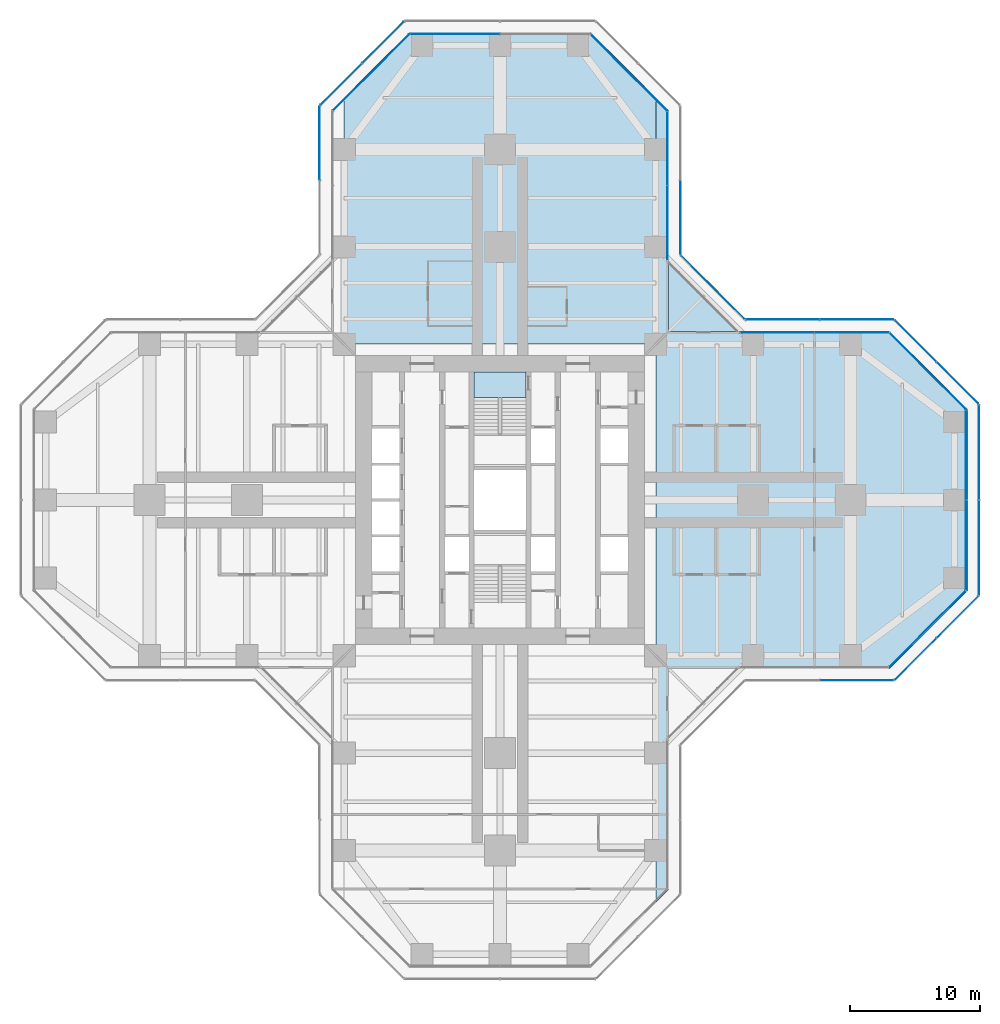
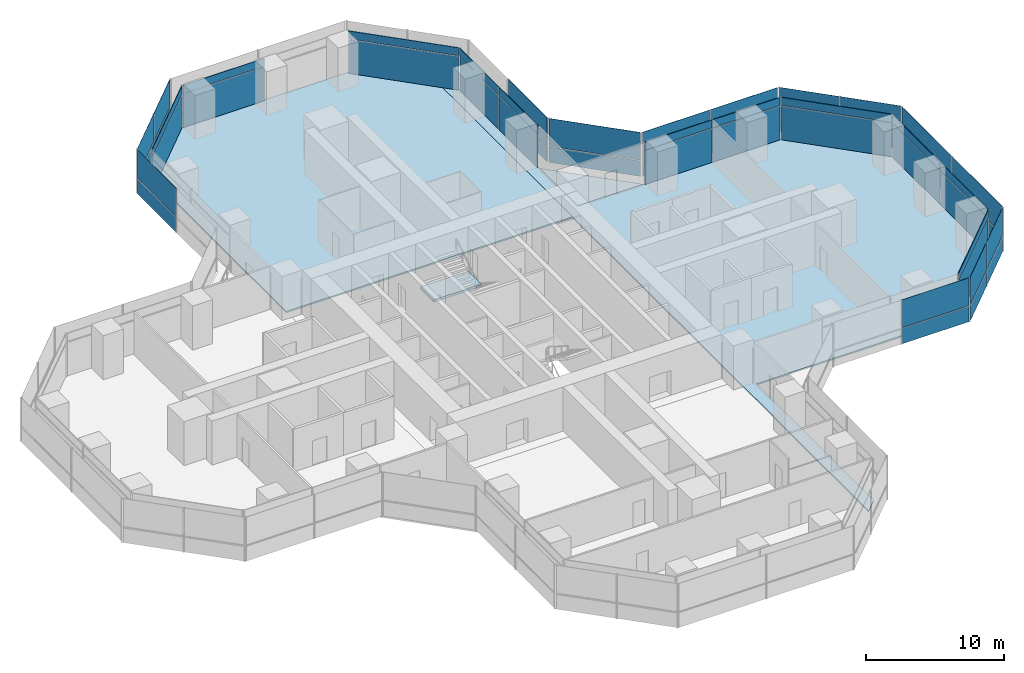
# One storey, part 16 of 22: 50 plates, 4 slabs, 18 elements without a shape of their own.
"""IFC4 building model written with IfcOpenShell, lengths in metres."""

from ifc_helpers import new_model, si_unit, direction, frame, origin, origin_2d, place, context, subcontext, project, spatial, polyline, rectangle, outline, extrude, material, layer, layer_set, type_object, element, aggregate, save


model = new_model("IFC4")

# Units and contexts
model_context = context("Model", 3, precision=1e-05, world=origin(), true_north=direction((0.0, 1.0)))
body_context = subcontext(model_context, "Body", "Model", "MODEL_VIEW")
ifc_project = project(units=[si_unit("LENGTHUNIT", "METRE"), si_unit("AREAUNIT", "SQUARE_METRE"), si_unit("VOLUMEUNIT", "CUBIC_METRE"), si_unit("PLANEANGLEUNIT", "RADIAN"), si_unit("MASSUNIT", "GRAM", prefix="KILO")], contexts=[model_context])

# Site, building, storey
site_placement = place(None, origin())
site = spatial("IfcSite", under=ifc_project, at=site_placement, CompositionType="ELEMENT")
building_placement = place(site_placement, origin())
building = spatial("IfcBuilding", under=site, at=building_placement, Name="Mizan Broadcast Tower", CompositionType="ELEMENT")
storey_placement = place(building_placement, frame((0.0, 0.0, 63.0)))
storey = spatial("IfcBuildingStorey", under=building, at=storey_placement, Name="L12", CompositionType="ELEMENT", Elevation=63.0)

# Slabs
ifc_material_1 = material(Name="Concrete C32/40", Category="concrete")
ifc_layer_1 = layer(ifc_material_1, 0.1298828125)
ifc_layer_set_1 = layer_set([ifc_layer_1], Name="Concrete C32/40")
slab_type_1 = type_object("IfcSlabType", Name="COMPOSITE DECK SLAB 130", PredefinedType="FLOOR", material=ifc_layer_set_1)
slab_1_placement = place(storey_placement, frame((0.0, 0.0, -0.1298828125)))
element("IfcSlab", 1, at=slab_1_placement, inside=storey, type_object=slab_type_1, Name="Floor slab L12 east arm", PredefinedType="FLOOR", context=body_context, shape_type="SweptSolid", body=[
    extrude(outline(polyline([(12.0, -31.0), (13.0, -30.0), (13.0, -13.0), (30.0, -13.0), (36.0, -7.0), (36.0, 7.0), (30.0, 13.0), (13.0, 13.0), (13.0, 30.0), (12.0, 31.0), (12.0, -31.0)])), origin(), (0.0, 0.0, 1.0), 0.1298828125),
])
slab_2_placement = place(storey_placement, frame((0.0, 0.0, -0.1298828125)))
element("IfcSlab", 2, at=slab_2_placement, inside=storey, type_object=slab_type_1, Name="Floor slab L12 north arm", PredefinedType="FLOOR", context=body_context, shape_type="SweptSolid", body=[
    extrude(outline(polyline([(-7.0, 36.0), (-12.0, 31.0), (-12.0, 12.0), (12.0, 12.0), (12.0, 31.0), (7.0, 36.0), (-7.0, 36.0)])), origin(), (0.0, 0.0, 1.0), 0.1298828125),
])

# Curtain wall, plate
ifc_material_2 = material(Name="Aluminium framed glazing", Category="aluminium")
curtain_wall_type_1 = type_object("IfcCurtainWallType", Name="INNER SKIN LOW ZONE", PredefinedType="USERDEFINED", material=ifc_material_2)
curtain_wall_1_placement = place(storey_placement, origin())
curtain_wall_1 = element("IfcCurtainWall", 3, at=curtain_wall_1_placement, inside=storey, type_object=curtain_wall_type_1, Name="Inner skin low zone L12 E chamfer", ObjectType="INNER SKIN LOW ZONE", PredefinedType="USERDEFINED")
ifc_material_3 = material(Name="Double glazing, clear low-e", Category="glass")
ifc_layer_2 = layer(ifc_material_3, 0.028076171875)
ifc_layer_set_2 = layer_set([ifc_layer_2], Name="Double glazing, clear low-e")
plate_type_1 = type_object("IfcPlateType", Name="INNER SKIN GLAZING UNIT", PredefinedType="CURTAIN_PANEL", material=ifc_layer_set_2)
plate_1_placement = place(storey_placement, frame((32.92919921875, -9.92919921875, 0.0), z_axis=(0.0, 0.0, 1.0), x_axis=(0.707106781187, 0.707106781187, 0.0)))
plate_1 = element("IfcPlate", 4, at=plate_1_placement, type_object=plate_type_1, Name="Inner skin low zone L12 E chamfer panel 1.1", PredefinedType="CURTAIN_PANEL", context=body_context, shape_type="SweptSolid", body=[
    extrude(rectangle(XDim=8.282470703125, YDim=0.028076171875, at=origin_2d()), origin(), (0.0, 0.0, 1.0), 3.0),
])

# Curtain wall, plates
curtain_wall_2_placement = place(storey_placement, origin())
curtain_wall_2 = element("IfcCurtainWall", 5, at=curtain_wall_2_placement, inside=storey, type_object=curtain_wall_type_1, Name="Inner skin low zone L12 E end", ObjectType="INNER SKIN LOW ZONE", PredefinedType="USERDEFINED")
plate_2_placement = place(storey_placement, frame((35.89990234375, -3.46435546875, 0.0), z_axis=(0.0, 0.0, 1.0), x_axis=(0.0, 1.0, 0.0)))
plate_2 = element("IfcPlate", 6, at=plate_2_placement, type_object=plate_type_1, Name="Inner skin low zone L12 E end panel 1.1", PredefinedType="CURTAIN_PANEL", context=body_context, shape_type="SweptSolid", body=[
    extrude(rectangle(XDim=6.86865234375, YDim=0.028076171875, at=origin_2d()), origin(), (0.0, 0.0, 1.0), 3.0),
])
plate_3_placement = place(storey_placement, frame((35.89990234375, 3.46435546875, 0.0), z_axis=(0.0, 0.0, 1.0), x_axis=(0.0, 1.0, 0.0)))
plate_3 = element("IfcPlate", 7, at=plate_3_placement, type_object=plate_type_1, Name="Inner skin low zone L12 E end panel 2.1", PredefinedType="CURTAIN_PANEL", context=body_context, shape_type="SweptSolid", body=[
    extrude(rectangle(XDim=6.86865234375, YDim=0.028076171875, at=origin_2d()), origin(), (0.0, 0.0, 1.0), 3.0),
])

# Curtain wall, plate
curtain_wall_3_placement = place(storey_placement, origin())
curtain_wall_3 = element("IfcCurtainWall", 8, at=curtain_wall_3_placement, inside=storey, type_object=curtain_wall_type_1, Name="Inner skin low zone L12 E chamfer", ObjectType="INNER SKIN LOW ZONE", PredefinedType="USERDEFINED")
plate_4_placement = place(storey_placement, frame((32.92919921875, 9.92919921875, 0.0), z_axis=(0.0, 0.0, 1.0), x_axis=(-0.707106781187, 0.707106781187, 0.0)))
plate_4 = element("IfcPlate", 9, at=plate_4_placement, type_object=plate_type_1, Name="Inner skin low zone L12 E chamfer panel 1.1", PredefinedType="CURTAIN_PANEL", context=body_context, shape_type="SweptSolid", body=[
    extrude(rectangle(XDim=8.282470703125, YDim=0.028076171875, at=origin_2d()), origin(), (0.0, 0.0, 1.0), 3.0),
])

# Curtain wall, plates
curtain_wall_4_placement = place(storey_placement, origin())
curtain_wall_4 = element("IfcCurtainWall", 10, at=curtain_wall_4_placement, inside=storey, type_object=curtain_wall_type_1, Name="Inner skin low zone L12 E side", ObjectType="INNER SKIN LOW ZONE", PredefinedType="USERDEFINED")
plate_5_placement = place(storey_placement, frame((27.078857421875, 12.89990234375, 0.0), z_axis=(0.0, 0.0, 1.0), x_axis=(-1.0, 0.0, 0.0)))
plate_5 = element("IfcPlate", 11, at=plate_5_placement, type_object=plate_type_1, Name="Inner skin low zone L12 E side panel 1.1", PredefinedType="CURTAIN_PANEL", context=body_context, shape_type="SweptSolid", body=[
    extrude(rectangle(XDim=5.639404296875, YDim=0.028076171875, at=origin_2d()), origin(), (0.0, 0.0, 1.0), 3.0),
])
plate_6_placement = place(storey_placement, frame((21.379638671875, 12.89990234375, 0.0), z_axis=(0.0, 0.0, 1.0), x_axis=(-1.0, 0.0, 0.0)))
plate_6 = element("IfcPlate", 12, at=plate_6_placement, type_object=plate_type_1, Name="Inner skin low zone L12 E side panel 2.1", PredefinedType="CURTAIN_PANEL", context=body_context, shape_type="SweptSolid", body=[
    extrude(rectangle(XDim=5.639404296875, YDim=0.028076171875, at=origin_2d()), origin(), (0.0, 0.0, 1.0), 3.0),
])

curtain_wall_5_placement = place(storey_placement, origin())
curtain_wall_5 = element("IfcCurtainWall", 13, at=curtain_wall_5_placement, inside=storey, type_object=curtain_wall_type_1, Name="Inner skin low zone L12 N side", ObjectType="INNER SKIN LOW ZONE", PredefinedType="USERDEFINED")
plate_7_placement = place(storey_placement, frame((12.89990234375, 21.379638671875, 0.0), z_axis=(0.0, 0.0, 1.0), x_axis=(0.0, 1.0, 0.0)))
plate_7 = element("IfcPlate", 14, at=plate_7_placement, type_object=plate_type_1, Name="Inner skin low zone L12 N side panel 1.1", PredefinedType="CURTAIN_PANEL", context=body_context, shape_type="SweptSolid", body=[
    extrude(rectangle(XDim=5.639404296875, YDim=0.028076171875, at=origin_2d()), origin(), (0.0, 0.0, 1.0), 3.0),
])
plate_8_placement = place(storey_placement, frame((12.89990234375, 27.078857421875, 0.0), z_axis=(0.0, 0.0, 1.0), x_axis=(0.0, 1.0, 0.0)))
plate_8 = element("IfcPlate", 15, at=plate_8_placement, type_object=plate_type_1, Name="Inner skin low zone L12 N side panel 2.1", PredefinedType="CURTAIN_PANEL", context=body_context, shape_type="SweptSolid", body=[
    extrude(rectangle(XDim=5.639404296875, YDim=0.028076171875, at=origin_2d()), origin(), (0.0, 0.0, 1.0), 3.0),
])

# Curtain wall, plate
curtain_wall_6_placement = place(storey_placement, origin())
curtain_wall_6 = element("IfcCurtainWall", 16, at=curtain_wall_6_placement, inside=storey, type_object=curtain_wall_type_1, Name="Inner skin low zone L12 N chamfer", ObjectType="INNER SKIN LOW ZONE", PredefinedType="USERDEFINED")
plate_9_placement = place(storey_placement, frame((9.92919921875, 32.92919921875, 0.0), z_axis=(0.0, 0.0, 1.0), x_axis=(-0.707106781187, 0.707106781187, 0.0)))
plate_9 = element("IfcPlate", 17, at=plate_9_placement, type_object=plate_type_1, Name="Inner skin low zone L12 N chamfer panel 1.1", PredefinedType="CURTAIN_PANEL", context=body_context, shape_type="SweptSolid", body=[
    extrude(rectangle(XDim=8.282470703125, YDim=0.028076171875, at=origin_2d()), origin(), (0.0, 0.0, 1.0), 3.0),
])

curtain_wall_7_placement = place(storey_placement, origin())
curtain_wall_7 = element("IfcCurtainWall", 18, at=curtain_wall_7_placement, inside=storey, type_object=curtain_wall_type_1, Name="Inner skin low zone L12 N end", ObjectType="INNER SKIN LOW ZONE", PredefinedType="USERDEFINED")
plate_10_placement = place(storey_placement, frame((-3.46435546875, 35.89990234375, 0.0), z_axis=(0.0, 0.0, 1.0), x_axis=(-1.0, 0.0, 0.0)))
plate_10 = element("IfcPlate", 19, at=plate_10_placement, type_object=plate_type_1, Name="Inner skin low zone L12 N end panel 2.1", PredefinedType="CURTAIN_PANEL", context=body_context, shape_type="SweptSolid", body=[
    extrude(rectangle(XDim=6.86865234375, YDim=0.028076171875, at=origin_2d()), origin(), (0.0, 0.0, 1.0), 3.0),
])

curtain_wall_8_placement = place(storey_placement, origin())
curtain_wall_8 = element("IfcCurtainWall", 20, at=curtain_wall_8_placement, inside=storey, type_object=curtain_wall_type_1, Name="Inner skin low zone L12 N chamfer", ObjectType="INNER SKIN LOW ZONE", PredefinedType="USERDEFINED")
plate_11_placement = place(storey_placement, frame((-9.92919921875, 32.92919921875, 0.0), z_axis=(0.0, 0.0, 1.0), x_axis=(-0.707106781187, -0.707106781187, 0.0)))
plate_11 = element("IfcPlate", 21, at=plate_11_placement, type_object=plate_type_1, Name="Inner skin low zone L12 N chamfer panel 1.1", PredefinedType="CURTAIN_PANEL", context=body_context, shape_type="SweptSolid", body=[
    extrude(rectangle(XDim=8.282470703125, YDim=0.028076171875, at=origin_2d()), origin(), (0.0, 0.0, 1.0), 3.0),
])

# Plate
ifc_material_4 = material(Name="Insulated aluminium spandrel panel, pale anodised", Category="aluminium")
ifc_layer_3 = layer(ifc_material_4, 0.050048828125)
ifc_layer_set_3 = layer_set([ifc_layer_3], Name="Insulated aluminium spandrel panel, pale anodised")
plate_type_2 = type_object("IfcPlateType", Name="INNER SKIN SPANDREL PANEL", PredefinedType="CURTAIN_PANEL", material=ifc_layer_set_3)
plate_12_placement = place(storey_placement, frame((32.92919921875, -9.92919921875, 3.06005859375), z_axis=(0.0, 0.0, 1.0), x_axis=(0.707106781187, 0.707106781187, 0.0)))
plate_12 = element("IfcPlate", 22, at=plate_12_placement, type_object=plate_type_2, Name="Inner skin low zone L12 E chamfer panel 1.2", PredefinedType="CURTAIN_PANEL", context=body_context, shape_type="SweptSolid", body=[
    extrude(rectangle(XDim=8.282470703125, YDim=0.050048828125, at=origin_2d()), origin(), (0.0, 0.0, 1.0), 0.7099609375),
])

aggregate(curtain_wall_1, [plate_1, plate_12])

plate_13_placement = place(storey_placement, frame((35.89990234375, -3.46435546875, 3.06005859375), z_axis=(0.0, 0.0, 1.0), x_axis=(0.0, 1.0, 0.0)))
plate_13 = element("IfcPlate", 23, at=plate_13_placement, type_object=plate_type_2, Name="Inner skin low zone L12 E end panel 1.2", PredefinedType="CURTAIN_PANEL", context=body_context, shape_type="SweptSolid", body=[
    extrude(rectangle(XDim=6.86865234375, YDim=0.050048828125, at=origin_2d()), origin(), (0.0, 0.0, 1.0), 0.7099609375),
])

plate_14_placement = place(storey_placement, frame((35.89990234375, 3.46435546875, 3.06005859375), z_axis=(0.0, 0.0, 1.0), x_axis=(0.0, 1.0, 0.0)))
plate_14 = element("IfcPlate", 24, at=plate_14_placement, type_object=plate_type_2, Name="Inner skin low zone L12 E end panel 2.2", PredefinedType="CURTAIN_PANEL", context=body_context, shape_type="SweptSolid", body=[
    extrude(rectangle(XDim=6.86865234375, YDim=0.050048828125, at=origin_2d()), origin(), (0.0, 0.0, 1.0), 0.7099609375),
])

aggregate(curtain_wall_2, [plate_2, plate_13, plate_3, plate_14])

plate_15_placement = place(storey_placement, frame((32.92919921875, 9.92919921875, 3.06005859375), z_axis=(0.0, 0.0, 1.0), x_axis=(-0.707106781187, 0.707106781187, 0.0)))
plate_15 = element("IfcPlate", 25, at=plate_15_placement, type_object=plate_type_2, Name="Inner skin low zone L12 E chamfer panel 1.2", PredefinedType="CURTAIN_PANEL", context=body_context, shape_type="SweptSolid", body=[
    extrude(rectangle(XDim=8.282470703125, YDim=0.050048828125, at=origin_2d()), origin(), (0.0, 0.0, 1.0), 0.7099609375),
])

aggregate(curtain_wall_3, [plate_4, plate_15])

plate_16_placement = place(storey_placement, frame((27.078857421875, 12.89990234375, 3.06005859375), z_axis=(0.0, 0.0, 1.0), x_axis=(-1.0, 0.0, 0.0)))
plate_16 = element("IfcPlate", 26, at=plate_16_placement, type_object=plate_type_2, Name="Inner skin low zone L12 E side panel 1.2", PredefinedType="CURTAIN_PANEL", context=body_context, shape_type="SweptSolid", body=[
    extrude(rectangle(XDim=5.639404296875, YDim=0.050048828125, at=origin_2d()), origin(), (0.0, 0.0, 1.0), 0.7099609375),
])

plate_17_placement = place(storey_placement, frame((21.379638671875, 12.89990234375, 3.06005859375), z_axis=(0.0, 0.0, 1.0), x_axis=(-1.0, 0.0, 0.0)))
plate_17 = element("IfcPlate", 27, at=plate_17_placement, type_object=plate_type_2, Name="Inner skin low zone L12 E side panel 2.2", PredefinedType="CURTAIN_PANEL", context=body_context, shape_type="SweptSolid", body=[
    extrude(rectangle(XDim=5.639404296875, YDim=0.050048828125, at=origin_2d()), origin(), (0.0, 0.0, 1.0), 0.7099609375),
])

aggregate(curtain_wall_4, [plate_5, plate_16, plate_6, plate_17])

plate_18_placement = place(storey_placement, frame((12.89990234375, 21.379638671875, 3.06005859375), z_axis=(0.0, 0.0, 1.0), x_axis=(0.0, 1.0, 0.0)))
plate_18 = element("IfcPlate", 28, at=plate_18_placement, type_object=plate_type_2, Name="Inner skin low zone L12 N side panel 1.2", PredefinedType="CURTAIN_PANEL", context=body_context, shape_type="SweptSolid", body=[
    extrude(rectangle(XDim=5.639404296875, YDim=0.050048828125, at=origin_2d()), origin(), (0.0, 0.0, 1.0), 0.7099609375),
])

plate_19_placement = place(storey_placement, frame((12.89990234375, 27.078857421875, 3.06005859375), z_axis=(0.0, 0.0, 1.0), x_axis=(0.0, 1.0, 0.0)))
plate_19 = element("IfcPlate", 29, at=plate_19_placement, type_object=plate_type_2, Name="Inner skin low zone L12 N side panel 2.2", PredefinedType="CURTAIN_PANEL", context=body_context, shape_type="SweptSolid", body=[
    extrude(rectangle(XDim=5.639404296875, YDim=0.050048828125, at=origin_2d()), origin(), (0.0, 0.0, 1.0), 0.7099609375),
])

aggregate(curtain_wall_5, [plate_7, plate_18, plate_8, plate_19])

plate_20_placement = place(storey_placement, frame((9.92919921875, 32.92919921875, 3.06005859375), z_axis=(0.0, 0.0, 1.0), x_axis=(-0.707106781187, 0.707106781187, 0.0)))
plate_20 = element("IfcPlate", 30, at=plate_20_placement, type_object=plate_type_2, Name="Inner skin low zone L12 N chamfer panel 1.2", PredefinedType="CURTAIN_PANEL", context=body_context, shape_type="SweptSolid", body=[
    extrude(rectangle(XDim=8.282470703125, YDim=0.050048828125, at=origin_2d()), origin(), (0.0, 0.0, 1.0), 0.7099609375),
])

aggregate(curtain_wall_6, [plate_9, plate_20])

plate_21_placement = place(storey_placement, frame((-3.46435546875, 35.89990234375, 3.06005859375), z_axis=(0.0, 0.0, 1.0), x_axis=(-1.0, 0.0, 0.0)))
plate_21 = element("IfcPlate", 31, at=plate_21_placement, type_object=plate_type_2, Name="Inner skin low zone L12 N end panel 2.2", PredefinedType="CURTAIN_PANEL", context=body_context, shape_type="SweptSolid", body=[
    extrude(rectangle(XDim=6.86865234375, YDim=0.050048828125, at=origin_2d()), origin(), (0.0, 0.0, 1.0), 0.7099609375),
])

aggregate(curtain_wall_7, [plate_10, plate_21])

plate_22_placement = place(storey_placement, frame((-9.92919921875, 32.92919921875, 3.06005859375), z_axis=(0.0, 0.0, 1.0), x_axis=(-0.707106781187, -0.707106781187, 0.0)))
plate_22 = element("IfcPlate", 32, at=plate_22_placement, type_object=plate_type_2, Name="Inner skin low zone L12 N chamfer panel 1.2", PredefinedType="CURTAIN_PANEL", context=body_context, shape_type="SweptSolid", body=[
    extrude(rectangle(XDim=8.282470703125, YDim=0.050048828125, at=origin_2d()), origin(), (0.0, 0.0, 1.0), 0.7099609375),
])

aggregate(curtain_wall_8, [plate_11, plate_22])

# Curtain wall, plates
ifc_material_5 = material(Name="Aluminium framed glazing", Category="aluminium")
curtain_wall_type_2 = type_object("IfcCurtainWallType", Name="OUTER SKIN", PredefinedType="USERDEFINED", material=ifc_material_5)
curtain_wall_9_placement = place(storey_placement, origin())
curtain_wall_9 = element("IfcCurtainWall", 33, at=curtain_wall_9_placement, inside=storey, type_object=curtain_wall_type_2, Name="Outer skin L12 E chamfer", ObjectType="OUTER SKIN", PredefinedType="USERDEFINED")
ifc_material_6 = material(Name="Laminated clear glass", Category="glass")
ifc_layer_4 = layer(ifc_material_6, 0.02001953125)
ifc_layer_set_4 = layer_set([ifc_layer_4], Name="Laminated clear glass")
plate_type_3 = type_object("IfcPlateType", Name="OUTER SKIN CLEAR GLASS", PredefinedType="CURTAIN_PANEL", material=ifc_layer_set_4)
plate_23_placement = place(storey_placement, frame((32.018798828125, -12.254150390625, 0.0), z_axis=(0.0, 0.0, 1.0), x_axis=(0.707106781187, 0.707106781187, 0.0)))
plate_23 = element("IfcPlate", 34, at=plate_23_placement, type_object=plate_type_3, Name="Outer skin L12 E chamfer panel 1.1", PredefinedType="CURTAIN_PANEL", context=body_context, shape_type="SweptSolid", body=[
    extrude(rectangle(XDim=4.495361328125, YDim=0.02001953125, at=origin_2d()), origin(), (0.0, 0.0, 1.0), 1.3701171875),
])
plate_24_placement = place(storey_placement, frame((32.018798828125, -12.254150390625, 1.43017578125), z_axis=(0.0, 0.0, 1.0), x_axis=(0.707106781187, 0.707106781187, 0.0)))
plate_24 = element("IfcPlate", 35, at=plate_24_placement, type_object=plate_type_3, Name="Outer skin L12 E chamfer panel 1.2", PredefinedType="CURTAIN_PANEL", context=body_context, shape_type="SweptSolid", body=[
    extrude(rectangle(XDim=4.495361328125, YDim=0.02001953125, at=origin_2d()), origin(), (0.0, 0.0, 1.0), 2.469970703125),
])

curtain_wall_10_placement = place(storey_placement, origin())
curtain_wall_10 = element("IfcCurtainWall", 36, at=curtain_wall_10_placement, inside=storey, type_object=curtain_wall_type_2, Name="Outer skin L12 E end", ObjectType="OUTER SKIN", PredefinedType="USERDEFINED")
plate_25_placement = place(storey_placement, frame((36.89990234375, -3.66650390625, 0.0), z_axis=(0.0, 0.0, 1.0), x_axis=(0.0, 1.0, 0.0)))
plate_25 = element("IfcPlate", 37, at=plate_25_placement, type_object=plate_type_3, Name="Outer skin L12 E end panel 1.1", PredefinedType="CURTAIN_PANEL", context=body_context, shape_type="SweptSolid", body=[
    extrude(rectangle(XDim=7.252685546875, YDim=0.02001953125, at=origin_2d()), origin(), (0.0, 0.0, 1.0), 1.3701171875),
])
plate_26_placement = place(storey_placement, frame((36.89990234375, -3.66650390625, 1.43017578125), z_axis=(0.0, 0.0, 1.0), x_axis=(0.0, 1.0, 0.0)))
plate_26 = element("IfcPlate", 38, at=plate_26_placement, type_object=plate_type_3, Name="Outer skin L12 E end panel 1.2", PredefinedType="CURTAIN_PANEL", context=body_context, shape_type="SweptSolid", body=[
    extrude(rectangle(XDim=7.252685546875, YDim=0.02001953125, at=origin_2d()), origin(), (0.0, 0.0, 1.0), 2.469970703125),
])

curtain_wall_11_placement = place(storey_placement, origin())
curtain_wall_11 = element("IfcCurtainWall", 39, at=curtain_wall_11_placement, inside=storey, type_object=curtain_wall_type_2, Name="Outer skin L12 E chamfer", ObjectType="OUTER SKIN", PredefinedType="USERDEFINED")
plate_27_placement = place(storey_placement, frame((35.254150390625, 9.018798828125, 0.0), z_axis=(0.0, 0.0, 1.0), x_axis=(-0.707106781187, 0.707106781187, 0.0)))
plate_27 = element("IfcPlate", 40, at=plate_27_placement, type_object=plate_type_3, Name="Outer skin L12 E chamfer panel 1.1", PredefinedType="CURTAIN_PANEL", context=body_context, shape_type="SweptSolid", body=[
    extrude(rectangle(XDim=4.495361328125, YDim=0.02001953125, at=origin_2d()), origin(), (0.0, 0.0, 1.0), 1.3701171875),
])
plate_28_placement = place(storey_placement, frame((35.254150390625, 9.018798828125, 1.43017578125), z_axis=(0.0, 0.0, 1.0), x_axis=(-0.707106781187, 0.707106781187, 0.0)))
plate_28 = element("IfcPlate", 41, at=plate_28_placement, type_object=plate_type_3, Name="Outer skin L12 E chamfer panel 1.2", PredefinedType="CURTAIN_PANEL", context=body_context, shape_type="SweptSolid", body=[
    extrude(rectangle(XDim=4.495361328125, YDim=0.02001953125, at=origin_2d()), origin(), (0.0, 0.0, 1.0), 2.469970703125),
])

curtain_wall_12_placement = place(storey_placement, origin())
curtain_wall_12 = element("IfcCurtainWall", 42, at=curtain_wall_12_placement, inside=storey, type_object=curtain_wall_type_2, Name="Outer skin L12 E side", ObjectType="OUTER SKIN", PredefinedType="USERDEFINED")
plate_29_placement = place(storey_placement, frame((27.477783203125, 13.89990234375, 0.0), z_axis=(0.0, 0.0, 1.0), x_axis=(-1.0, 0.0, 0.0)))
plate_29 = element("IfcPlate", 43, at=plate_29_placement, type_object=plate_type_3, Name="Outer skin L12 E side panel 1.1", PredefinedType="CURTAIN_PANEL", context=body_context, shape_type="SweptSolid", body=[
    extrude(rectangle(XDim=5.6298828125, YDim=0.02001953125, at=origin_2d()), origin(), (0.0, 0.0, 1.0), 1.3701171875),
])
plate_30_placement = place(storey_placement, frame((27.477783203125, 13.89990234375, 1.43017578125), z_axis=(0.0, 0.0, 1.0), x_axis=(-1.0, 0.0, 0.0)))
plate_30 = element("IfcPlate", 44, at=plate_30_placement, type_object=plate_type_3, Name="Outer skin L12 E side panel 1.2", PredefinedType="CURTAIN_PANEL", context=body_context, shape_type="SweptSolid", body=[
    extrude(rectangle(XDim=5.6298828125, YDim=0.02001953125, at=origin_2d()), origin(), (0.0, 0.0, 1.0), 2.469970703125),
])
plate_31_placement = place(storey_placement, frame((21.767822265625, 13.89990234375, 0.0), z_axis=(0.0, 0.0, 1.0), x_axis=(-1.0, 0.0, 0.0)))
plate_31 = element("IfcPlate", 45, at=plate_31_placement, type_object=plate_type_3, Name="Outer skin L12 E side panel 2.1", PredefinedType="CURTAIN_PANEL", context=body_context, shape_type="SweptSolid", body=[
    extrude(rectangle(XDim=5.6298828125, YDim=0.02001953125, at=origin_2d()), origin(), (0.0, 0.0, 1.0), 1.3701171875),
])
plate_32_placement = place(storey_placement, frame((21.767822265625, 13.89990234375, 1.43017578125), z_axis=(0.0, 0.0, 1.0), x_axis=(-1.0, 0.0, 0.0)))
plate_32 = element("IfcPlate", 46, at=plate_32_placement, type_object=plate_type_3, Name="Outer skin L12 E side panel 2.2", PredefinedType="CURTAIN_PANEL", context=body_context, shape_type="SweptSolid", body=[
    extrude(rectangle(XDim=5.6298828125, YDim=0.02001953125, at=origin_2d()), origin(), (0.0, 0.0, 1.0), 2.469970703125),
])
aggregate(curtain_wall_12, [plate_29, plate_30, plate_31, plate_32])

curtain_wall_13_placement = place(storey_placement, origin())
curtain_wall_13 = element("IfcCurtainWall", 47, at=curtain_wall_13_placement, inside=storey, type_object=curtain_wall_type_2, Name="Outer skin L12 E chamfer", ObjectType="OUTER SKIN", PredefinedType="USERDEFINED")
plate_33_placement = place(storey_placement, frame((16.386474609375, 16.386474609375, 0.0), z_axis=(0.0, 0.0, 1.0), x_axis=(-0.707106781187, 0.707106781187, 0.0)))
plate_33 = element("IfcPlate", 48, at=plate_33_placement, type_object=plate_type_3, Name="Outer skin L12 E chamfer panel 1.1", PredefinedType="CURTAIN_PANEL", context=body_context, shape_type="SweptSolid", body=[
    extrude(rectangle(XDim=6.87255859375, YDim=0.02001953125, at=origin_2d()), origin(), (0.0, 0.0, 1.0), 1.3701171875),
])
plate_34_placement = place(storey_placement, frame((16.386474609375, 16.386474609375, 1.43017578125), z_axis=(0.0, 0.0, 1.0), x_axis=(-0.707106781187, 0.707106781187, 0.0)))
plate_34 = element("IfcPlate", 49, at=plate_34_placement, type_object=plate_type_3, Name="Outer skin L12 E chamfer panel 1.2", PredefinedType="CURTAIN_PANEL", context=body_context, shape_type="SweptSolid", body=[
    extrude(rectangle(XDim=6.87255859375, YDim=0.02001953125, at=origin_2d()), origin(), (0.0, 0.0, 1.0), 2.469970703125),
])
aggregate(curtain_wall_13, [plate_33, plate_34])

curtain_wall_14_placement = place(storey_placement, origin())
curtain_wall_14 = element("IfcCurtainWall", 50, at=curtain_wall_14_placement, inside=storey, type_object=curtain_wall_type_2, Name="Outer skin L12 N side", ObjectType="OUTER SKIN", PredefinedType="USERDEFINED")
plate_35_placement = place(storey_placement, frame((13.89990234375, 21.767822265625, 0.0), z_axis=(0.0, 0.0, 1.0), x_axis=(0.0, 1.0, 0.0)))
plate_35 = element("IfcPlate", 51, at=plate_35_placement, type_object=plate_type_3, Name="Outer skin L12 N side panel 1.1", PredefinedType="CURTAIN_PANEL", context=body_context, shape_type="SweptSolid", body=[
    extrude(rectangle(XDim=5.6298828125, YDim=0.02001953125, at=origin_2d()), origin(), (0.0, 0.0, 1.0), 1.3701171875),
])
plate_36_placement = place(storey_placement, frame((13.89990234375, 21.767822265625, 1.43017578125), z_axis=(0.0, 0.0, 1.0), x_axis=(0.0, 1.0, 0.0)))
plate_36 = element("IfcPlate", 52, at=plate_36_placement, type_object=plate_type_3, Name="Outer skin L12 N side panel 1.2", PredefinedType="CURTAIN_PANEL", context=body_context, shape_type="SweptSolid", body=[
    extrude(rectangle(XDim=5.6298828125, YDim=0.02001953125, at=origin_2d()), origin(), (0.0, 0.0, 1.0), 2.469970703125),
])
aggregate(curtain_wall_14, [plate_35, plate_36])

curtain_wall_15_placement = place(storey_placement, origin())
curtain_wall_15 = element("IfcCurtainWall", 53, at=curtain_wall_15_placement, inside=storey, type_object=curtain_wall_type_2, Name="Outer skin L12 N chamfer", ObjectType="OUTER SKIN", PredefinedType="USERDEFINED")
plate_37_placement = place(storey_placement, frame((-9.018798828125, 35.254150390625, 0.0), z_axis=(0.0, 0.0, 1.0), x_axis=(-0.707106781187, -0.707106781187, 0.0)))
plate_37 = element("IfcPlate", 54, at=plate_37_placement, type_object=plate_type_3, Name="Outer skin L12 N chamfer panel 1.1", PredefinedType="CURTAIN_PANEL", context=body_context, shape_type="SweptSolid", body=[
    extrude(rectangle(XDim=4.495361328125, YDim=0.02001953125, at=origin_2d()), origin(), (0.0, 0.0, 1.0), 1.3701171875),
])
plate_38_placement = place(storey_placement, frame((-9.018798828125, 35.254150390625, 1.43017578125), z_axis=(0.0, 0.0, 1.0), x_axis=(-0.707106781187, -0.707106781187, 0.0)))
plate_38 = element("IfcPlate", 55, at=plate_38_placement, type_object=plate_type_3, Name="Outer skin L12 N chamfer panel 1.2", PredefinedType="CURTAIN_PANEL", context=body_context, shape_type="SweptSolid", body=[
    extrude(rectangle(XDim=4.495361328125, YDim=0.02001953125, at=origin_2d()), origin(), (0.0, 0.0, 1.0), 2.469970703125),
])

curtain_wall_16_placement = place(storey_placement, origin())
curtain_wall_16 = element("IfcCurtainWall", 56, at=curtain_wall_16_placement, inside=storey, type_object=curtain_wall_type_2, Name="Outer skin L12 N side", ObjectType="OUTER SKIN", PredefinedType="USERDEFINED")
plate_39_placement = place(storey_placement, frame((-13.89990234375, 27.477783203125, 0.0), z_axis=(0.0, 0.0, 1.0), x_axis=(0.0, -1.0, 0.0)))
plate_39 = element("IfcPlate", 57, at=plate_39_placement, type_object=plate_type_3, Name="Outer skin L12 N side panel 1.1", PredefinedType="CURTAIN_PANEL", context=body_context, shape_type="SweptSolid", body=[
    extrude(rectangle(XDim=5.6298828125, YDim=0.02001953125, at=origin_2d()), origin(), (0.0, 0.0, 1.0), 1.3701171875),
])
plate_40_placement = place(storey_placement, frame((-13.89990234375, 27.477783203125, 1.43017578125), z_axis=(0.0, 0.0, 1.0), x_axis=(0.0, -1.0, 0.0)))
plate_40 = element("IfcPlate", 58, at=plate_40_placement, type_object=plate_type_3, Name="Outer skin L12 N side panel 1.2", PredefinedType="CURTAIN_PANEL", context=body_context, shape_type="SweptSolid", body=[
    extrude(rectangle(XDim=5.6298828125, YDim=0.02001953125, at=origin_2d()), origin(), (0.0, 0.0, 1.0), 2.469970703125),
])
aggregate(curtain_wall_16, [plate_39, plate_40])

# Plate
ifc_material_7 = material(Name="Perforated aluminium, pale anodised", Category="aluminium")
ifc_layer_5 = layer(ifc_material_7, 0.011962890625)
ifc_layer_set_5 = layer_set([ifc_layer_5], Name="Perforated aluminium, pale anodised")
plate_type_4 = type_object("IfcPlateType", Name="OUTER SKIN PERFORATED SCREEN", PredefinedType="USERDEFINED", material=ifc_layer_set_5)
plate_41_placement = place(storey_placement, frame((35.254150390625, -9.018798828125, 0.0), z_axis=(0.0, 0.0, 1.0), x_axis=(0.707106781187, 0.707106781187, 0.0)))
plate_41 = element("IfcPlate", 59, at=plate_41_placement, type_object=plate_type_4, Name="Outer skin L12 E chamfer panel 2.1", ObjectType="SCREEN", PredefinedType="USERDEFINED", context=body_context, shape_type="SweptSolid", body=[
    extrude(rectangle(XDim=4.495361328125, YDim=0.011962890625, at=origin_2d()), origin(), (0.0, 0.0, 1.0), 1.3701171875),
])

plate_42_placement = place(storey_placement, frame((35.254150390625, -9.018798828125, 1.43017578125), z_axis=(0.0, 0.0, 1.0), x_axis=(0.707106781187, 0.707106781187, 0.0)))
plate_42 = element("IfcPlate", 60, at=plate_42_placement, type_object=plate_type_4, Name="Outer skin L12 E chamfer panel 2.2", ObjectType="SCREEN", PredefinedType="USERDEFINED", context=body_context, shape_type="SweptSolid", body=[
    extrude(rectangle(XDim=4.495361328125, YDim=0.011962890625, at=origin_2d()), origin(), (0.0, 0.0, 1.0), 2.469970703125),
])

aggregate(curtain_wall_9, [plate_23, plate_24, plate_41, plate_42])

plate_43_placement = place(storey_placement, frame((36.89990234375, 3.66650390625, 0.0), z_axis=(0.0, 0.0, 1.0), x_axis=(0.0, 1.0, 0.0)))
plate_43 = element("IfcPlate", 61, at=plate_43_placement, type_object=plate_type_4, Name="Outer skin L12 E end panel 2.1", ObjectType="SCREEN", PredefinedType="USERDEFINED", context=body_context, shape_type="SweptSolid", body=[
    extrude(rectangle(XDim=7.252685546875, YDim=0.011962890625, at=origin_2d()), origin(), (0.0, 0.0, 1.0), 1.3701171875),
])

plate_44_placement = place(storey_placement, frame((36.89990234375, 3.66650390625, 1.43017578125), z_axis=(0.0, 0.0, 1.0), x_axis=(0.0, 1.0, 0.0)))
plate_44 = element("IfcPlate", 62, at=plate_44_placement, type_object=plate_type_4, Name="Outer skin L12 E end panel 2.2", ObjectType="SCREEN", PredefinedType="USERDEFINED", context=body_context, shape_type="SweptSolid", body=[
    extrude(rectangle(XDim=7.252685546875, YDim=0.011962890625, at=origin_2d()), origin(), (0.0, 0.0, 1.0), 2.469970703125),
])

aggregate(curtain_wall_10, [plate_25, plate_26, plate_43, plate_44])

plate_45_placement = place(storey_placement, frame((32.018798828125, 12.254150390625, 0.0), z_axis=(0.0, 0.0, 1.0), x_axis=(-0.707106781187, 0.707106781187, 0.0)))
plate_45 = element("IfcPlate", 63, at=plate_45_placement, type_object=plate_type_4, Name="Outer skin L12 E chamfer panel 2.1", ObjectType="SCREEN", PredefinedType="USERDEFINED", context=body_context, shape_type="SweptSolid", body=[
    extrude(rectangle(XDim=4.495361328125, YDim=0.011962890625, at=origin_2d()), origin(), (0.0, 0.0, 1.0), 1.3701171875),
])

plate_46_placement = place(storey_placement, frame((32.018798828125, 12.254150390625, 1.43017578125), z_axis=(0.0, 0.0, 1.0), x_axis=(-0.707106781187, 0.707106781187, 0.0)))
plate_46 = element("IfcPlate", 64, at=plate_46_placement, type_object=plate_type_4, Name="Outer skin L12 E chamfer panel 2.2", ObjectType="SCREEN", PredefinedType="USERDEFINED", context=body_context, shape_type="SweptSolid", body=[
    extrude(rectangle(XDim=4.495361328125, YDim=0.011962890625, at=origin_2d()), origin(), (0.0, 0.0, 1.0), 2.469970703125),
])

aggregate(curtain_wall_11, [plate_27, plate_28, plate_45, plate_46])

plate_47_placement = place(storey_placement, frame((-12.254150390625, 32.018798828125, 0.0), z_axis=(0.0, 0.0, 1.0), x_axis=(-0.707106781187, -0.707106781187, 0.0)))
plate_47 = element("IfcPlate", 65, at=plate_47_placement, type_object=plate_type_4, Name="Outer skin L12 N chamfer panel 2.1", ObjectType="SCREEN", PredefinedType="USERDEFINED", context=body_context, shape_type="SweptSolid", body=[
    extrude(rectangle(XDim=4.495361328125, YDim=0.011962890625, at=origin_2d()), origin(), (0.0, 0.0, 1.0), 1.3701171875),
])

plate_48_placement = place(storey_placement, frame((-12.254150390625, 32.018798828125, 1.43017578125), z_axis=(0.0, 0.0, 1.0), x_axis=(-0.707106781187, -0.707106781187, 0.0)))
plate_48 = element("IfcPlate", 66, at=plate_48_placement, type_object=plate_type_4, Name="Outer skin L12 N chamfer panel 2.2", ObjectType="SCREEN", PredefinedType="USERDEFINED", context=body_context, shape_type="SweptSolid", body=[
    extrude(rectangle(XDim=4.495361328125, YDim=0.011962890625, at=origin_2d()), origin(), (0.0, 0.0, 1.0), 2.469970703125),
])

aggregate(curtain_wall_15, [plate_37, plate_38, plate_47, plate_48])

# Curtain wall, plates
curtain_wall_17_placement = place(storey_placement, origin())
curtain_wall_17 = element("IfcCurtainWall", 67, at=curtain_wall_17_placement, inside=storey, type_object=curtain_wall_type_2, Name="Outer skin L12 E side", ObjectType="OUTER SKIN", PredefinedType="USERDEFINED")
plate_49_placement = place(storey_placement, frame((27.477783203125, -13.89990234375, 0.0), z_axis=(0.0, 0.0, 1.0), x_axis=(1.0, 0.0, 0.0)))
plate_49 = element("IfcPlate", 68, at=plate_49_placement, type_object=plate_type_4, Name="Outer skin L12 E side panel 2.1", ObjectType="SCREEN", PredefinedType="USERDEFINED", context=body_context, shape_type="SweptSolid", body=[
    extrude(rectangle(XDim=5.6298828125, YDim=0.011962890625, at=origin_2d()), origin(), (0.0, 0.0, 1.0), 1.3701171875),
])
plate_50_placement = place(storey_placement, frame((27.477783203125, -13.89990234375, 1.43017578125), z_axis=(0.0, 0.0, 1.0), x_axis=(1.0, 0.0, 0.0)))
plate_50 = element("IfcPlate", 69, at=plate_50_placement, type_object=plate_type_4, Name="Outer skin L12 E side panel 2.2", ObjectType="SCREEN", PredefinedType="USERDEFINED", context=body_context, shape_type="SweptSolid", body=[
    extrude(rectangle(XDim=5.6298828125, YDim=0.011962890625, at=origin_2d()), origin(), (0.0, 0.0, 1.0), 2.469970703125),
])
aggregate(curtain_wall_17, [plate_49, plate_50])

# Stair, slab
ifc_material_8 = material(Name="Concrete C40/50", Category="concrete")
stair_type = type_object("IfcStairType", Name="EXIT STAIR", PredefinedType="HALF_TURN_STAIR", material=ifc_material_8)
stair_placement = place(storey_placement, origin())
stair = element("IfcStair", 70, at=stair_placement, inside=storey, type_object=stair_type, Name="Stair B L12", PredefinedType="HALF_TURN_STAIR")
ifc_material_9 = material(Name="Concrete C40/50", Category="concrete")
ifc_layer_6 = layer(ifc_material_9, 0.199951171875)
ifc_layer_set_6 = layer_set([ifc_layer_6], Name="Concrete C40/50")
slab_type_2 = type_object("IfcSlabType", Name="STAIR LANDING 200", PredefinedType="LANDING", material=ifc_layer_set_6)
slab_3_placement = place(storey_placement, frame((0.0, 0.0, -0.199951171875)))
slab_3 = element("IfcSlab", 71, at=slab_3_placement, type_object=slab_type_2, Name="B landing 1", PredefinedType="LANDING", context=body_context, shape_type="SweptSolid", body=[
    extrude(outline(polyline([(2.0, 9.85009765625), (2.0, 7.89990234375), (-2.0, 7.89990234375), (-2.0, 9.85009765625), (2.0, 9.85009765625)])), origin(), (0.0, 0.0, 1.0), 0.199951171875),
])
aggregate(stair, [slab_3])

# Slab
ifc_material_10 = material(Name="Concrete C32/40", Category="concrete")
ifc_layer_7 = layer(ifc_material_10, 0.1298828125)
ifc_layer_set_7 = layer_set([ifc_layer_7], Name="Concrete C32/40")
slab_type_3 = type_object("IfcSlabType", Name="WINTER GARDEN SLAB 130", PredefinedType="FLOOR", material=ifc_layer_set_7)
slab_4_placement = place(storey_placement, frame((0.0, 0.0, -0.1298828125)))
element("IfcSlab", 72, at=slab_4_placement, inside=storey, type_object=slab_type_3, Name="Winter garden slab L12 E", PredefinedType="FLOOR", context=body_context, shape_type="SweptSolid", body=[
    extrude(outline(polyline([(13.0, 13.0), (18.5, 13.0), (13.0, 18.5), (13.0, 13.0)])), origin(), (0.0, 0.0, 1.0), 0.1298828125),
])

save(model, "model.ifc")
